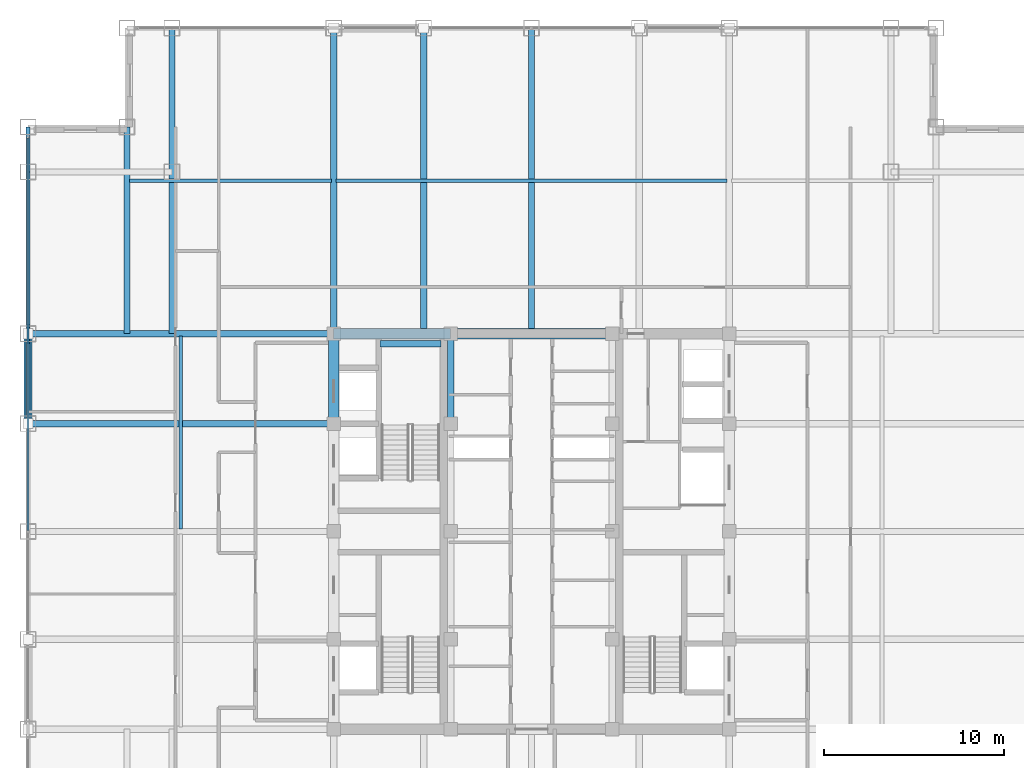
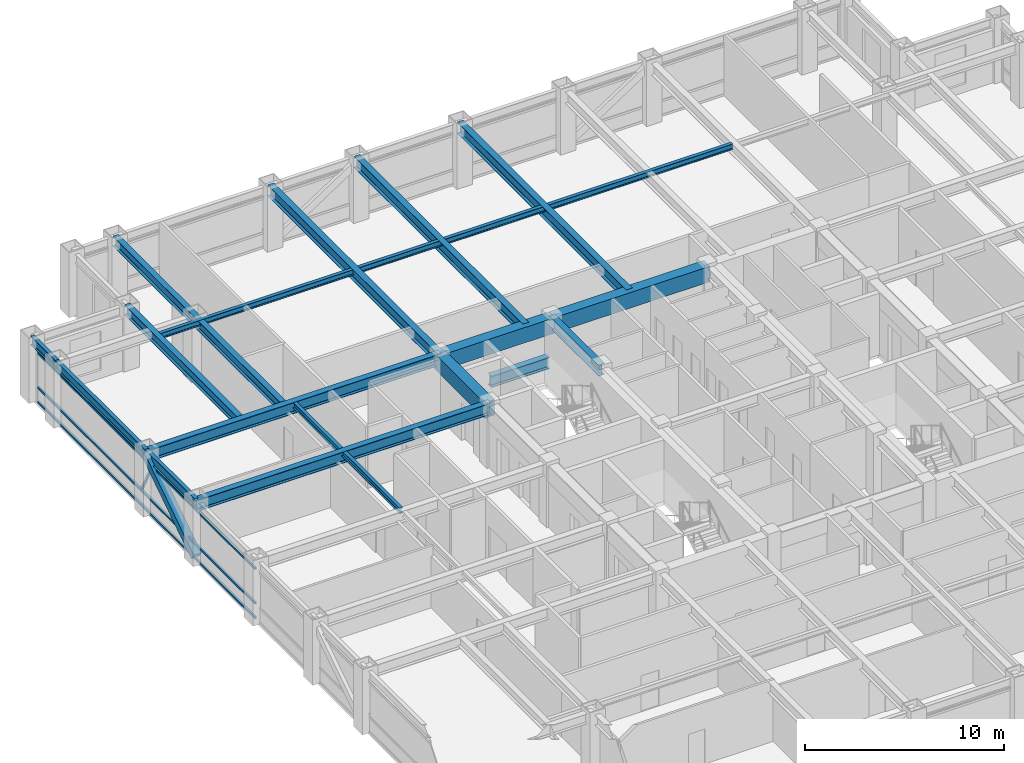
# One storey, part 11 of 22: 18 beams, 5 members, 1 element without a shape of its own.
"""IFC4 building model written with IfcOpenShell, lengths in metres."""

from ifc_helpers import new_model, si_unit, direction, frame, origin, origin_2d, place, context, subcontext, project, spatial, rectangle, hollow_rectangle, i_section, extrude, source, transform, mapped, material, material_profile, profile_set, type_object, element, aggregate, save


model = new_model("IFC4")

# Units and contexts
model_context = context("Model", 3, precision=1e-05, world=origin(), true_north=direction((0.0, 1.0)))
body_context = subcontext(model_context, "Body", "Model", "MODEL_VIEW")
ifc_project = project(units=[si_unit("LENGTHUNIT", "METRE"), si_unit("AREAUNIT", "SQUARE_METRE"), si_unit("VOLUMEUNIT", "CUBIC_METRE"), si_unit("PLANEANGLEUNIT", "RADIAN"), si_unit("MASSUNIT", "GRAM", prefix="KILO")], contexts=[model_context])

# Site, building, storey
site_placement = place(None, origin())
site = spatial("IfcSite", under=ifc_project, at=site_placement, CompositionType="ELEMENT")
building_placement = place(site_placement, origin())
building = spatial("IfcBuilding", under=site, at=building_placement, Name="Khorayat Bourse Tower", CompositionType="ELEMENT")
storey_placement = place(building_placement, frame((0.0, 0.0, 297.5)))
storey = spatial("IfcBuildingStorey", under=building, at=storey_placement, Name="L70", CompositionType="ELEMENT", Elevation=297.5)

# Beams
ifc_material_1 = material(Name="Steel ASTM A992 Grade 50", Category="steel")
ifc_material_profile_1 = material_profile(ifc_material_1, i_section(OverallWidth=0.35498046875, OverallDepth=0.695068359375, WebThickness=0.015380859375, FlangeThickness=0.02490234375, FilletRadius=0.01806640625, at=origin_2d()), Name="W690X217")
ifc_profile_set_1 = profile_set([ifc_material_profile_1], Name="Steel ASTM A992 Grade 50")
beam_type_1 = type_object("IfcBeamType", Name="BM-GIRD-690", PredefinedType="BEAM", material=ifc_profile_set_1)
shared_shape_1 = source(origin(), body_context, "Body", "SweptSolid", [
    extrude(i_section(OverallWidth=0.35498046875, OverallDepth=0.695068359375, WebThickness=0.015380859375, FlangeThickness=0.02490234375, FilletRadius=0.01806640625, at=origin_2d()), origin(), (0.0, 0.0, 1.0), 5.0),
])
beam_1_placement = place(storey_placement, frame((-4.5, 6.0, 3.4326171875), z_axis=(0.0, 1.0, 0.0), x_axis=(-1.0, 0.0, 0.0)))
element("IfcBeam", 1, at=beam_1_placement, inside=storey, type_object=beam_type_1, Name="L70 BM-GIRD-690 BM-L70-CRX-08", PredefinedType="BEAM", context=body_context, shape_type="MappedRepresentation", body=[
    mapped(shared_shape_1, transform((0.0, 0.0, 0.0), scale=1.0)),
])
shared_shape_2 = source(origin(), body_context, "Body", "SweptSolid", [
    extrude(i_section(OverallWidth=0.35498046875, OverallDepth=0.695068359375, WebThickness=0.015380859375, FlangeThickness=0.02490234375, FilletRadius=0.01806640625, at=origin_2d()), origin(), (0.0, 0.0, 1.0), 3.39990234375),
])
beam_2_placement = place(storey_placement, frame((-8.419921875, 10.449951171875, 1.452392578125), z_axis=(1.0, 0.0, 0.0), x_axis=(0.0, 1.0, 0.0)))
element("IfcBeam", 2, at=beam_2_placement, inside=storey, type_object=beam_type_1, Name="L70 BM-GIRD-690 BM-L70-ST2L", PredefinedType="BEAM", context=body_context, shape_type="MappedRepresentation", body=[
    mapped(shared_shape_2, transform((0.0, 0.0, 0.0), scale=1.0)),
])
ifc_material_profile_2 = material_profile(ifc_material_1, i_section(OverallWidth=0.324951171875, OverallDepth=0.615966796875, WebThickness=0.013916015625, FlangeThickness=0.021484375, FilletRadius=0.01611328125, at=origin_2d()), Name="W610X174")
ifc_profile_set_2 = profile_set([ifc_material_profile_2], Name="Steel ASTM A992 Grade 50")
beam_type_2 = type_object("IfcBeamType", Name="BM-GIRD-610", PredefinedType="BEAM", material=ifc_profile_set_2)
shared_shape_3 = source(origin(), body_context, "Body", "SweptSolid", [
    extrude(i_section(OverallWidth=0.324951171875, OverallDepth=0.615966796875, WebThickness=0.013916015625, FlangeThickness=0.021484375, FilletRadius=0.01611328125, at=origin_2d()), origin(), (0.0, 0.0, 1.0), 17.0),
])
beam_3_placement = place(storey_placement, frame((-20.0, 11.0, 3.471923828125), z_axis=(0.0, 1.0, 0.0), x_axis=(-1.0, 0.0, 0.0)))
element("IfcBeam", 3, at=beam_3_placement, inside=storey, type_object=beam_type_2, Name="L70 BM-GIRD-610 BM-L70-CNRY-085", PredefinedType="BEAM", context=body_context, shape_type="MappedRepresentation", body=[
    mapped(shared_shape_3, transform((0.0, 0.0, 0.0), scale=1.0)),
])
ifc_material_2 = material(Name="Concrete C60/75", Category="concrete")
ifc_material_profile_3 = material_profile(ifc_material_2, rectangle(XDim=0.60009765625, YDim=0.949951171875, at=origin_2d()), Name="RC 600x950")
ifc_profile_set_3 = profile_set([ifc_material_profile_3], Name="Concrete C60/75")
beam_type_3 = type_object("IfcBeamType", Name="BM-COUP-950", PredefinedType="BEAM", material=ifc_profile_set_3)
shared_shape_4 = source(origin(), body_context, "Body", "SweptSolid", [
    extrude(rectangle(XDim=0.60009765625, YDim=0.949951171875, at=origin_2d()), origin(), (0.0, 0.0, 1.0), 5.0),
])
beam_4_placement = place(storey_placement, frame((-11.0, 6.0, 3.304931640625), z_axis=(0.0, 1.0, 0.0), x_axis=(-1.0, 0.0, 0.0)))
element("IfcBeam", 4, at=beam_4_placement, inside=storey, type_object=beam_type_3, Name="L70 BM-COUP-950 BM-L70-CRX-04", PredefinedType="BEAM", context=body_context, shape_type="MappedRepresentation", body=[
    mapped(shared_shape_4, transform((0.0, 0.0, 0.0), scale=1.0)),
])
shared_shape_5 = source(origin(), body_context, "Body", "SweptSolid", [
    extrude(rectangle(XDim=0.60009765625, YDim=0.949951171875, at=origin_2d()), origin(), (0.0, 0.0, 1.0), 6.5),
])
beam_5_placement = place(storey_placement, frame((-11.0, 11.0, 3.304931640625), z_axis=(1.0, 0.0, 0.0), x_axis=(0.0, 1.0, 0.0)))
element("IfcBeam", 5, at=beam_5_placement, inside=storey, type_object=beam_type_3, Name="L70 BM-COUP-950 BM-L70-CRY-20", PredefinedType="BEAM", context=body_context, shape_type="MappedRepresentation", body=[
    mapped(shared_shape_5, transform((0.0, 0.0, 0.0), scale=1.0)),
])
shared_shape_6 = source(origin(), body_context, "Body", "SweptSolid", [
    extrude(rectangle(XDim=0.60009765625, YDim=0.949951171875, at=origin_2d()), origin(), (0.0, 0.0, 1.0), 9.0),
])
beam_6_placement = place(storey_placement, frame((-4.5, 11.0, 3.304931640625), z_axis=(1.0, 0.0, 0.0), x_axis=(0.0, 1.0, 0.0)))
element("IfcBeam", 6, at=beam_6_placement, inside=storey, type_object=beam_type_3, Name="L70 BM-COUP-950 BM-L70-CRY-21", PredefinedType="BEAM", context=body_context, shape_type="MappedRepresentation", body=[
    mapped(shared_shape_6, transform((0.0, 0.0, 0.0), scale=1.0)),
])

# Member
ifc_material_3 = material(Name="Steel EN 10025-4 S460M", Category="steel")
ifc_material_profile_4 = material_profile(ifc_material_3, hollow_rectangle(XDim=0.449951171875, YDim=0.449951171875, WallThickness=0.02490234375, at=origin_2d()), Name="HSS 450x450x25")
ifc_profile_set_4 = profile_set([ifc_material_profile_4], Name="Steel EN 10025-4 S460M")
member_type_1 = type_object("IfcMemberType", Name="MBR-TUBE-450", PredefinedType="BRACE", material=ifc_profile_set_4)
shared_shape_7 = source(origin(), body_context, "Body", "SweptSolid", [
    extrude(hollow_rectangle(XDim=0.449951171875, YDim=0.449951171875, WallThickness=0.02490234375, at=origin_2d()), origin(), (0.0, 0.0, 1.0), 5.979736328125),
])
member_1_placement = place(storey_placement, frame((-28.0, 6.0, 0.25), z_axis=(0.0, 0.836141536525, 0.548513747227), x_axis=(-1.0, 0.0, 0.0)))
element("IfcMember", 7, at=member_1_placement, inside=storey, type_object=member_type_1, Name="L70 Perimeter Tube Brace 06", PredefinedType="BRACE", context=body_context, shape_type="MappedRepresentation", body=[
    mapped(shared_shape_7, transform((0.0, 0.0, 0.0), scale=1.0)),
])

# Beams
shared_shape_8 = source(origin(), body_context, "Body", "SweptSolid", [
    extrude(i_section(OverallWidth=0.35498046875, OverallDepth=0.695068359375, WebThickness=0.015380859375, FlangeThickness=0.02490234375, FilletRadius=0.01806640625, at=origin_2d()), origin(), (0.0, 0.0, 1.0), 17.0),
])
for number, where, z_axis, x_axis, name in (
    (8, (-11.0, 11.0, 3.4326171875), (0.0, 1.0, 0.0), (-1.0, 0.0, 0.0), "L70 BM-GIRD-690 BM-L70-RADY-064"),
    (9, (-6.0, 11.0, 3.4326171875), (0.0, 1.0, 0.0), (-1.0, 0.0, 0.0), "L70 BM-GIRD-690 BM-L70-RADY-066"),
    (10, (0.0, 11.0, 3.4326171875), (0.0, 1.0, 0.0), (-1.0, 0.0, 0.0), "L70 BM-GIRD-690 BM-L70-RADY-068"),
    (11, (-28.0, 6.0, 3.4326171875), (1.0, 0.0, 0.0), (0.0, 1.0, 0.0), "L70 BM-GIRD-690 BM-L70-RADX-081"),
    (12, (-28.0, 11.0, 3.4326171875), (1.0, 0.0, 0.0), (0.0, 1.0, 0.0), "L70 BM-GIRD-690 BM-L70-RADX-083"),
):
    element("IfcBeam", number, at=place(storey_placement, frame(where, z_axis=z_axis, x_axis=x_axis)), inside=storey, type_object=beam_type_1, Name=name, PredefinedType="BEAM", context=body_context, shape_type="MappedRepresentation", body=[
        mapped(shared_shape_8, transform((0.0, 0.0, 0.0), scale=1.0)),
    ])
shared_shape_9 = source(origin(), body_context, "Body", "SweptSolid", [
    extrude(i_section(OverallWidth=0.324951171875, OverallDepth=0.615966796875, WebThickness=0.013916015625, FlangeThickness=0.021484375, FilletRadius=0.01611328125, at=origin_2d()), origin(), (0.0, 0.0, 1.0), 11.5),
])
beam_7_placement = place(storey_placement, frame((-22.5, 11.0, 3.471923828125), z_axis=(0.0, 1.0, 0.0), x_axis=(-1.0, 0.0, 0.0)))
element("IfcBeam", 13, at=beam_7_placement, inside=storey, type_object=beam_type_2, Name="L70 BM-GIRD-610 BM-L70-CNRY-089", PredefinedType="BEAM", context=body_context, shape_type="MappedRepresentation", body=[
    mapped(shared_shape_9, transform((0.0, 0.0, 0.0), scale=1.0)),
])
ifc_material_profile_5 = material_profile(ifc_material_1, i_section(OverallWidth=0.202880859375, OverallDepth=0.346923828125, WebThickness=0.0078125, FlangeThickness=0.013427734375, FilletRadius=0.010009765625, at=origin_2d()), Name="W360X64")
ifc_profile_set_5 = profile_set([ifc_material_profile_5], Name="Steel ASTM A992 Grade 50")
beam_type_4 = type_object("IfcBeamType", Name="BM-JOIST-360", PredefinedType="JOIST", material=ifc_profile_set_5)
shared_shape_10 = source(origin(), body_context, "Body", "SweptSolid", [
    extrude(i_section(OverallWidth=0.202880859375, OverallDepth=0.346923828125, WebThickness=0.0078125, FlangeThickness=0.013427734375, FilletRadius=0.010009765625, at=origin_2d()), origin(), (0.0, 0.0, 1.0), 11.240234375),
])
beam_8_placement = place(storey_placement, frame((-22.3701171875, 19.5, 3.6064453125), z_axis=(1.0, 0.0, 0.0), x_axis=(0.0, 1.0, 0.0)))
element("IfcBeam", 14, at=beam_8_placement, inside=storey, type_object=beam_type_4, Name="L70 BM-JOIST-360 BM-L70-JSTX-099", PredefinedType="JOIST", context=body_context, shape_type="MappedRepresentation", body=[
    mapped(shared_shape_10, transform((0.0, 0.0, 0.0), scale=1.0)),
])
shared_shape_11 = source(origin(), body_context, "Body", "SweptSolid", [
    extrude(i_section(OverallWidth=0.202880859375, OverallDepth=0.346923828125, WebThickness=0.0078125, FlangeThickness=0.013427734375, FilletRadius=0.010009765625, at=origin_2d()), origin(), (0.0, 0.0, 1.0), 21.740234375),
])
beam_9_placement = place(storey_placement, frame((-10.8701171875, 19.5, 3.6064453125), z_axis=(1.0, 0.0, 0.0), x_axis=(0.0, 1.0, 0.0)))
element("IfcBeam", 15, at=beam_9_placement, inside=storey, type_object=beam_type_4, Name="L70 BM-JOIST-360 BM-L70-JSTX-100", PredefinedType="JOIST", context=body_context, shape_type="MappedRepresentation", body=[
    mapped(shared_shape_11, transform((0.0, 0.0, 0.0), scale=1.0)),
])
shared_shape_12 = source(origin(), body_context, "Body", "SweptSolid", [
    extrude(i_section(OverallWidth=0.202880859375, OverallDepth=0.346923828125, WebThickness=0.0078125, FlangeThickness=0.013427734375, FilletRadius=0.010009765625, at=origin_2d()), origin(), (0.0, 0.0, 1.0), 10.740234375),
])
beam_10_placement = place(storey_placement, frame((-19.5, 0.1298828125, 3.6064453125), z_axis=(0.0, 1.0, 0.0), x_axis=(-1.0, 0.0, 0.0)))
element("IfcBeam", 16, at=beam_10_placement, inside=storey, type_object=beam_type_4, Name="L70 BM-JOIST-360 BM-L70-JSTY-103", PredefinedType="JOIST", context=body_context, shape_type="MappedRepresentation", body=[
    mapped(shared_shape_12, transform((0.0, 0.0, 0.0), scale=1.0)),
])
ifc_material_profile_6 = material_profile(ifc_material_1, i_section(OverallWidth=0.214111328125, OverallDepth=0.549072265625, WebThickness=0.0146484375, FlangeThickness=0.023681640625, FilletRadius=0.013916015625, at=origin_2d()), Name="W530X138")
ifc_profile_set_6 = profile_set([ifc_material_profile_6], Name="Steel ASTM A992 Grade 50")
beam_type_5 = type_object("IfcBeamType", Name="BM-SPAN-530", PredefinedType="SPANDREL", material=ifc_profile_set_6)
shared_shape_13 = source(origin(), body_context, "Body", "SweptSolid", [
    extrude(i_section(OverallWidth=0.214111328125, OverallDepth=0.549072265625, WebThickness=0.0146484375, FlangeThickness=0.023681640625, FilletRadius=0.013916015625, at=origin_2d()), origin(), (0.0, 0.0, 1.0), 2.5),
])
beam_11_placement = place(storey_placement, frame((-28.0, 20.0, 3.505615234375), z_axis=(0.0, 1.0, 0.0), x_axis=(-1.0, 0.0, 0.0)))
element("IfcBeam", 17, at=beam_11_placement, inside=storey, type_object=beam_type_5, Name="L70 BM-SPAN-530 BM-L70-SPN-054", PredefinedType="SPANDREL", context=body_context, shape_type="MappedRepresentation", body=[
    mapped(shared_shape_13, transform((0.0, 0.0, 0.0), scale=1.0)),
])
shared_shape_14 = source(origin(), body_context, "Body", "SweptSolid", [
    extrude(i_section(OverallWidth=0.214111328125, OverallDepth=0.549072265625, WebThickness=0.0146484375, FlangeThickness=0.023681640625, FilletRadius=0.013916015625, at=origin_2d()), origin(), (0.0, 0.0, 1.0), 9.0),
])
beam_12_placement = place(storey_placement, frame((-28.0, 11.0, 3.505615234375), z_axis=(0.0, 1.0, 0.0), x_axis=(-1.0, 0.0, 0.0)))
element("IfcBeam", 18, at=beam_12_placement, inside=storey, type_object=beam_type_5, Name="L70 BM-SPAN-530 BM-L70-SPN-055", PredefinedType="SPANDREL", context=body_context, shape_type="MappedRepresentation", body=[
    mapped(shared_shape_14, transform((0.0, 0.0, 0.0), scale=1.0)),
])
shared_shape_15 = source(origin(), body_context, "Body", "SweptSolid", [
    extrude(i_section(OverallWidth=0.214111328125, OverallDepth=0.549072265625, WebThickness=0.0146484375, FlangeThickness=0.023681640625, FilletRadius=0.013916015625, at=origin_2d()), origin(), (0.0, 0.0, 1.0), 5.0),
])
beam_13_placement = place(storey_placement, frame((-28.0, 6.0, 3.505615234375), z_axis=(0.0, 1.0, 0.0), x_axis=(-1.0, 0.0, 0.0)))
element("IfcBeam", 19, at=beam_13_placement, inside=storey, type_object=beam_type_5, Name="L70 BM-SPAN-530 BM-L70-SPN-056", PredefinedType="SPANDREL", context=body_context, shape_type="MappedRepresentation", body=[
    mapped(shared_shape_15, transform((0.0, 0.0, 0.0), scale=1.0)),
])

# Curtain wall, members
ifc_material_4 = material(Name="Aluminium EN AW-6063 T6", Category="aluminium")
curtain_wall_type = type_object("IfcCurtainWallType", Name="CW-SYS-04", PredefinedType="NOTDEFINED", material=ifc_material_4)
curtain_wall_placement = place(storey_placement, origin())
curtain_wall = element("IfcCurtainWall", 20, at=curtain_wall_placement, inside=storey, type_object=curtain_wall_type, Name="L70 Curtain Wall CW-L70-W1", PredefinedType="NOTDEFINED")
ifc_material_profile_7 = material_profile(ifc_material_4, hollow_rectangle(XDim=0.1201171875, YDim=0.1201171875, WallThickness=0.0048828125, at=origin_2d()), Name="ALU 120x120x5")
ifc_profile_set_7 = profile_set([ifc_material_profile_7], Name="Aluminium EN AW-6063 T6")
member_type_2 = type_object("IfcMemberType", Name="CWM-DIAG-120", PredefinedType="MULLION", material=ifc_profile_set_7)
shared_shape_16 = source(origin(), body_context, "Body", "SweptSolid", [
    extrude(hollow_rectangle(XDim=0.1201171875, YDim=0.1201171875, WallThickness=0.0048828125, at=origin_2d()), origin(), (0.0, 0.0, 1.0), 2.0791015625),
])
member_2_placement = place(storey_placement, frame((-28.0, 11.4541015625, 1.090087890625), z_axis=(0.0, -0.465717394116, 0.884933505309), x_axis=(1.0, 0.0, 0.0)))
member_2 = element("IfcMember", 21, at=member_2_placement, type_object=member_type_2, Name="CW-L70-W1 Faceted Diagonal Mullion 2", PredefinedType="MULLION", context=body_context, shape_type="MappedRepresentation", body=[
    mapped(shared_shape_16, transform((0.0, 0.0, 0.0), scale=1.0)),
])
ifc_material_profile_8 = material_profile(ifc_material_4, hollow_rectangle(XDim=0.1201171875, YDim=0.1201171875, WallThickness=0.0048828125, at=origin_2d()), Name="ALU 120x120x5")
ifc_profile_set_8 = profile_set([ifc_material_profile_8], Name="Aluminium EN AW-6063 T6")
member_type_3 = type_object("IfcMemberType", Name="CWT-HORZ-120", PredefinedType="USERDEFINED", material=ifc_profile_set_8)
shared_shape_17 = source(origin(), body_context, "Body", "SweptSolid", [
    extrude(hollow_rectangle(XDim=0.1201171875, YDim=0.1201171875, WallThickness=0.0048828125, at=origin_2d()), origin(), (0.0, 0.0, 1.0), 21.81982421875),
])
member_3_placement = place(storey_placement, frame((-28.0, 0.06005859375, 0.06005859375), z_axis=(0.0, 1.0, 0.0), x_axis=(-1.0, 0.0, 0.0)))
member_3 = element("IfcMember", 22, at=member_3_placement, type_object=member_type_3, Name="CW-L70-W1 Horizontal Transom 2-1", ObjectType="TRANSOM", PredefinedType="USERDEFINED", context=body_context, shape_type="MappedRepresentation", body=[
    mapped(shared_shape_17, transform((0.0, 0.0, 0.0), scale=1.0)),
])
member_4_placement = place(storey_placement, frame((-28.0, 0.06005859375, 0.949951171875), z_axis=(0.0, 1.0, 0.0), x_axis=(-1.0, 0.0, 0.0)))
member_4 = element("IfcMember", 23, at=member_4_placement, type_object=member_type_3, Name="CW-L70-W1 Horizontal Transom 2-2", ObjectType="TRANSOM", PredefinedType="USERDEFINED", context=body_context, shape_type="MappedRepresentation", body=[
    mapped(shared_shape_17, transform((0.0, 0.0, 0.0), scale=1.0)),
])
member_5_placement = place(storey_placement, frame((-28.0, 0.06005859375, 3.070068359375), z_axis=(0.0, 1.0, 0.0), x_axis=(-1.0, 0.0, 0.0)))
member_5 = element("IfcMember", 24, at=member_5_placement, type_object=member_type_3, Name="CW-L70-W1 Horizontal Transom 2-3", ObjectType="TRANSOM", PredefinedType="USERDEFINED", context=body_context, shape_type="MappedRepresentation", body=[
    mapped(shared_shape_17, transform((0.0, 0.0, 0.0), scale=1.0)),
])
aggregate(curtain_wall, [member_3, member_4, member_5, member_2])

save(model, "model.ifc")
